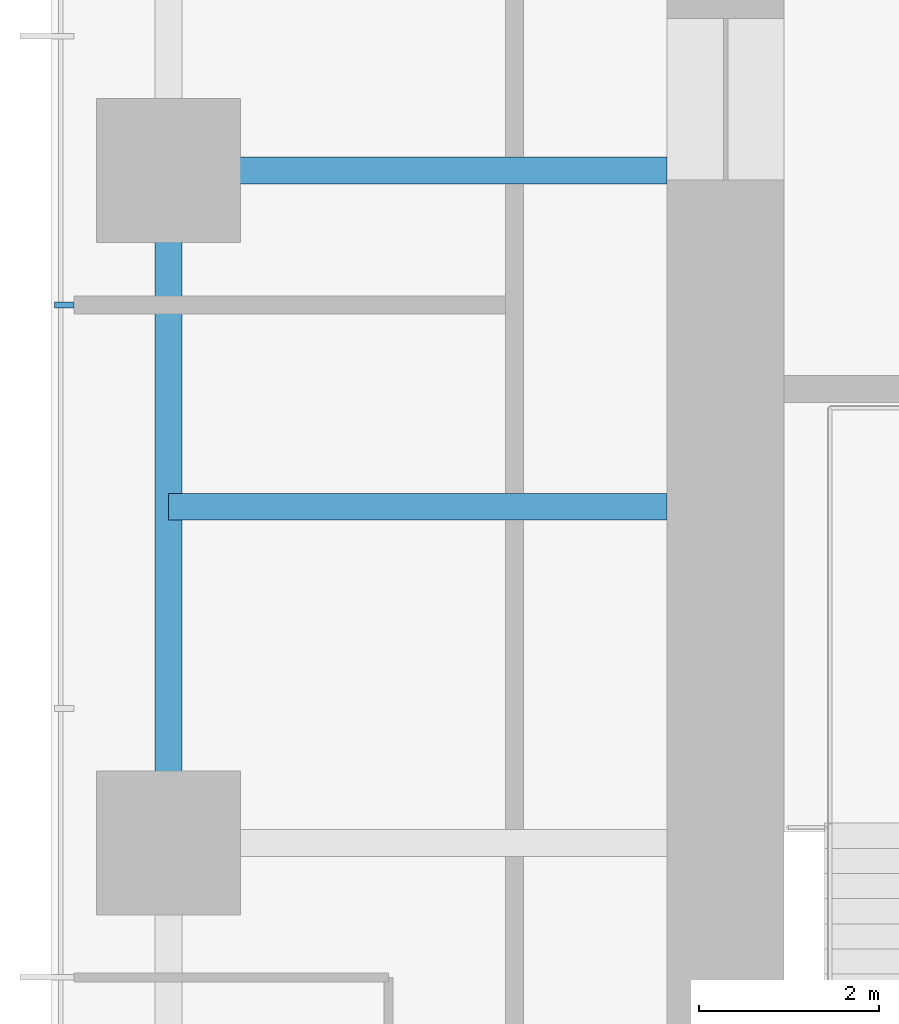
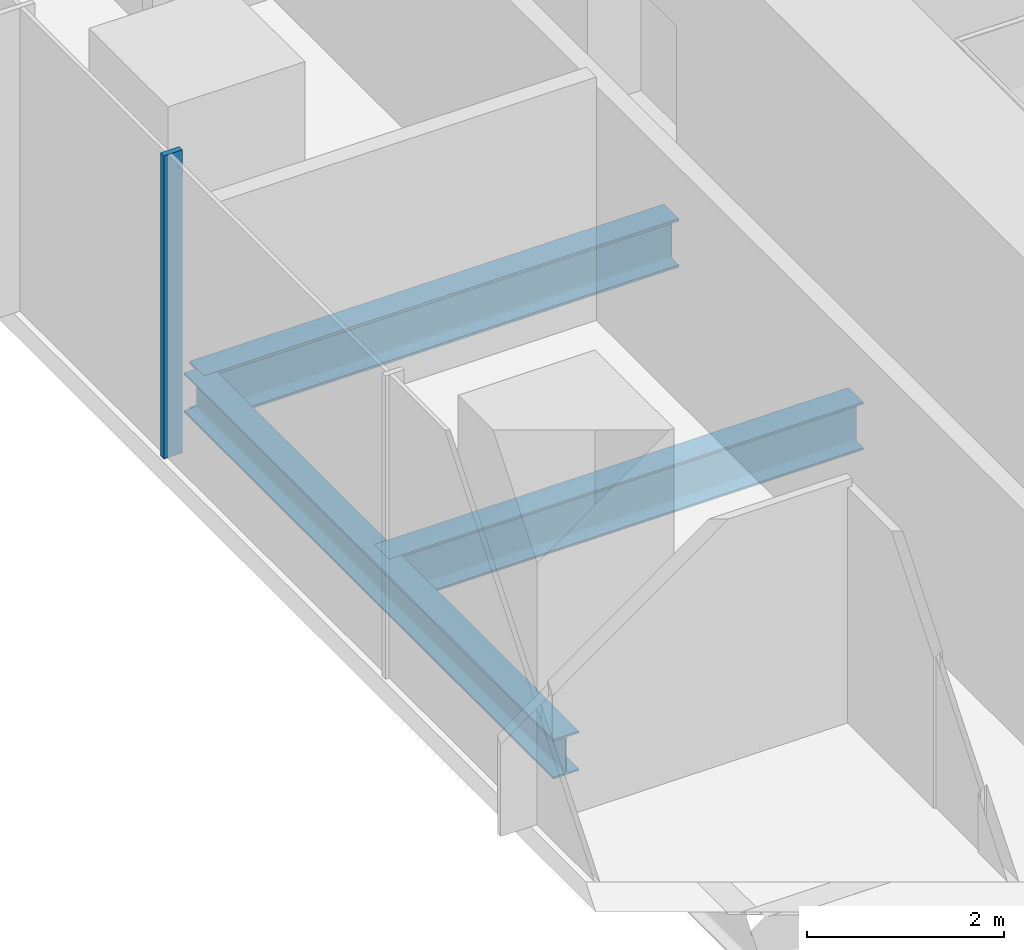
# One storey, part 3 of 12: 3 beams, 1 member, 1 element without a shape of its own.
"""IFC4 building model written with IfcOpenShell, lengths in metres."""

from ifc_helpers import new_model, si_unit, direction, frame, origin, origin_2d, place, context, subcontext, project, spatial, rectangle, i_section, extrude, material, material_profile, profile_set, type_object, element, aggregate, save


model = new_model("IFC4")

# Units and contexts
model_context = context("Model", 3, precision=1e-05, world=origin(), true_north=direction((0.0, 1.0)))
body_context = subcontext(model_context, "Body", "Model", "MODEL_VIEW")
ifc_project = project(units=[si_unit("LENGTHUNIT", "METRE"), si_unit("AREAUNIT", "SQUARE_METRE"), si_unit("VOLUMEUNIT", "CUBIC_METRE"), si_unit("PLANEANGLEUNIT", "RADIAN"), si_unit("MASSUNIT", "GRAM", prefix="KILO")], contexts=[model_context])

# Site, building, storey
site_placement = place(None, origin())
site = spatial("IfcSite", under=ifc_project, at=site_placement, CompositionType="ELEMENT")
building_placement = place(site_placement, origin())
building = spatial("IfcBuilding", under=site, at=building_placement, Name="Khuree Lantern Residences", CompositionType="ELEMENT")
storey_placement = place(building_placement, frame((0.0, 0.0, 342.0)))
storey = spatial("IfcBuildingStorey", under=building, at=storey_placement, Name="L86", CompositionType="ELEMENT", Elevation=342.0)

# Beams
ifc_material_1 = material(Name="Steel S355", Category="steel")
ifc_material_profile_1 = material_profile(ifc_material_1, i_section(OverallWidth=0.300048828125, OverallDepth=0.590087890625, WebThickness=0.012939453125, FlangeThickness=0.02490234375, FilletRadius=0.027099609375, at=origin_2d()), Name="HE 600 A")
ifc_profile_set_1 = profile_set([ifc_material_profile_1], Name="Steel S355")
beam_type_1 = type_object("IfcBeamType", Name="B-45 SECONDARY BEAM HE 600 A", PredefinedType="BEAM", material=ifc_profile_set_1)
beam_1_placement = place(storey_placement, frame((-21.699951171875, 3.739990234375, -0.544921875), z_axis=(1.0, 0.0, 0.0), x_axis=(0.0, 1.0, 0.0)))
element("IfcBeam", 1, at=beam_1_placement, inside=storey, type_object=beam_type_1, Name="Secondary beam W4", PredefinedType="BEAM", context=body_context, shape_type="SweptSolid", body=[
    extrude(i_section(OverallWidth=0.300048828125, OverallDepth=0.590087890625, WebThickness=0.012939453125, FlangeThickness=0.02490234375, FilletRadius=0.027099609375, at=origin_2d()), origin(), (0.0, 0.0, 1.0), 5.550048828125),
])
ifc_material_profile_2 = material_profile(ifc_material_1, i_section(OverallWidth=0.300048828125, OverallDepth=0.489990234375, WebThickness=0.011962890625, FlangeThickness=0.02294921875, FilletRadius=0.027099609375, at=origin_2d()), Name="HE 500 A")
ifc_profile_set_2 = profile_set([ifc_material_profile_2], Name="Steel S355")
beam_type_2 = type_object("IfcBeamType", Name="E-45 SPANDREL BEAM HE 500 A", PredefinedType="SPANDREL", material=ifc_profile_set_2)
beam_2_placement = place(storey_placement, frame((-21.699951171875, 0.0, -0.4951171875), z_axis=(0.0, 1.0, 0.0), x_axis=(-1.0, 0.0, 0.0)))
element("IfcBeam", 2, at=beam_2_placement, inside=storey, type_object=beam_type_2, Name="Spandrel beam W4", PredefinedType="SPANDREL", context=body_context, shape_type="SweptSolid", body=[
    extrude(i_section(OverallWidth=0.300048828125, OverallDepth=0.489990234375, WebThickness=0.011962890625, FlangeThickness=0.02294921875, FilletRadius=0.027099609375, at=origin_2d()), origin(), (0.0, 0.0, 1.0), 7.47998046875),
])
ifc_material_profile_3 = material_profile(ifc_material_1, i_section(OverallWidth=0.300048828125, OverallDepth=0.60009765625, WebThickness=0.015380859375, FlangeThickness=0.030029296875, FilletRadius=0.027099609375, at=origin_2d()), Name="HE 600 B")
ifc_profile_set_3 = profile_set([ifc_material_profile_3], Name="Steel S355")
beam_type_3 = type_object("IfcBeamType", Name="G-45 GIRDER HE 600 B", PredefinedType="BEAM", material=ifc_profile_set_3)
beam_3_placement = place(storey_placement, frame((-21.699951171875, 7.47998046875, -0.550048828125), z_axis=(1.0, 0.0, 0.0), x_axis=(0.0, 1.0, 0.0)))
element("IfcBeam", 3, at=beam_3_placement, inside=storey, type_object=beam_type_3, Name="Girder W4", PredefinedType="BEAM", context=body_context, shape_type="SweptSolid", body=[
    extrude(i_section(OverallWidth=0.300048828125, OverallDepth=0.60009765625, WebThickness=0.015380859375, FlangeThickness=0.030029296875, FilletRadius=0.027099609375, at=origin_2d()), origin(), (0.0, 0.0, 1.0), 5.550048828125),
])

# Curtain wall, member
ifc_material_2 = material(Name="Bronze anodised aluminium", Category="aluminium")
curtain_wall_type = type_object("IfcCurtainWallType", Name="CW-T1 TOWER FACE CURTAIN WALL", PredefinedType="USERDEFINED", material=ifc_material_2)
curtain_wall_placement = place(storey_placement, origin())
curtain_wall = element("IfcCurtainWall", 4, at=curtain_wall_placement, inside=storey, type_object=curtain_wall_type, Name="L86 WEST FACE CURTAIN WALL", ObjectType="Stick-built curtain wall", PredefinedType="USERDEFINED")
ifc_material_profile_4 = material_profile(ifc_material_2, rectangle(XDim=0.06494140625, YDim=0.219970703125, at=origin_2d()), Name="M1 65X220")
ifc_profile_set_4 = profile_set([ifc_material_profile_4], Name="Bronze anodised aluminium")
member_type = type_object("IfcMemberType", Name="M1 BRONZE MULLION TOWER 65X220", PredefinedType="MULLION", material=ifc_profile_set_4)
member_placement = place(storey_placement, frame((-22.860107421875, 5.98388671875, 0.0), z_axis=(0.0, 0.0, 1.0), x_axis=(0.0, -1.0, 0.0)))
member = element("IfcMember", 5, at=member_placement, type_object=member_type, Name="L86 WEST FACE MULLION 36", PredefinedType="MULLION", context=body_context, shape_type="SweptSolid", body=[
    extrude(rectangle(XDim=0.06494140625, YDim=0.219970703125, at=origin_2d()), origin(), (0.0, 0.0, 1.0), 3.75),
])
aggregate(curtain_wall, [member])

save(model, "model.ifc")
